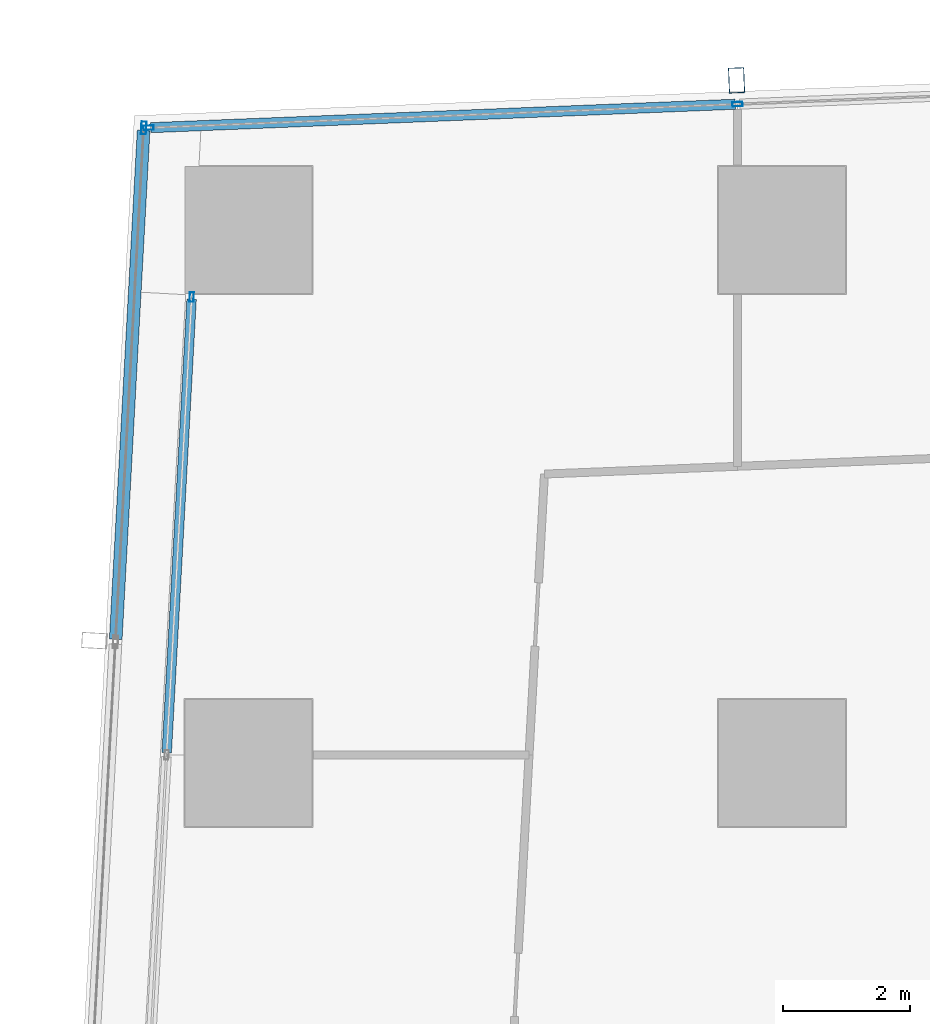
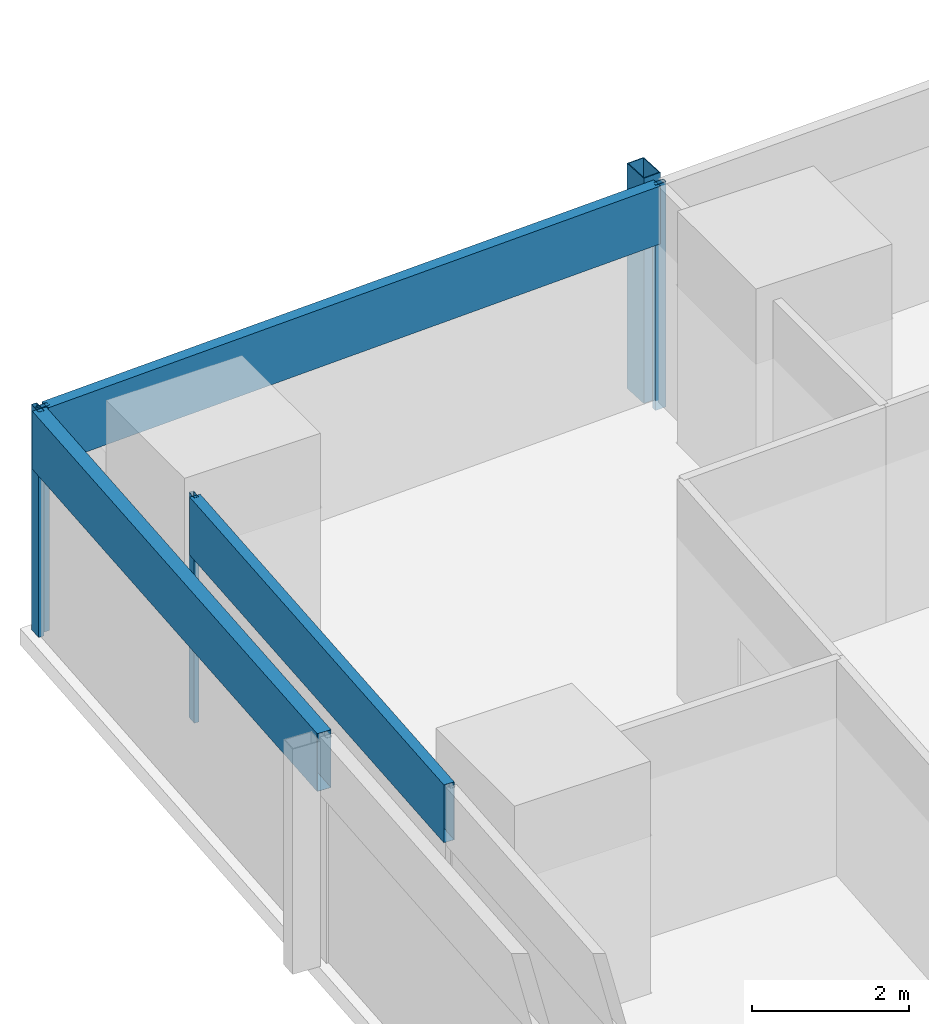
# One storey, part 13 of 36: 8 members, 3 elements without a shape of their own.
"""IFC4 building model written with IfcOpenShell, lengths in metres."""

from ifc_helpers import new_model, si_unit, direction, frame, origin, origin_2d, place, context, subcontext, project, spatial, hollow_rectangle, extrude, material, material_profile, profile_set, type_object, element, aggregate, save


model = new_model("IFC4")

# Units and contexts
model_context = context("Model", 3, precision=1e-05, world=origin(), true_north=direction((0.0, 1.0)))
body_context = subcontext(model_context, "Body", "Model", "MODEL_VIEW")
ifc_project = project(units=[si_unit("LENGTHUNIT", "METRE"), si_unit("AREAUNIT", "SQUARE_METRE"), si_unit("VOLUMEUNIT", "CUBIC_METRE"), si_unit("PLANEANGLEUNIT", "RADIAN"), si_unit("MASSUNIT", "GRAM", prefix="KILO")], contexts=[model_context])

# Site, building, storey
site_placement = place(None, origin())
site = spatial("IfcSite", under=ifc_project, at=site_placement, CompositionType="ELEMENT")
building_placement = place(site_placement, origin())
building = spatial("IfcBuilding", under=site, at=building_placement, Name="Rekha Terrace Tower", CompositionType="ELEMENT")
storey_placement = place(building_placement, frame((0.0, 0.0, 144.050048828125)))
storey = spatial("IfcBuildingStorey", under=building, at=storey_placement, Name="L36", CompositionType="ELEMENT", Elevation=144.050048828125)

# Curtain wall, member
ifc_material_1 = material(Name="Aluminium framing", Category="aluminium")
curtain_wall_type_1 = type_object("IfcCurtainWallType", Name="CW3 north unitised glazing", PredefinedType="USERDEFINED", material=ifc_material_1)
curtain_wall_1_placement = place(storey_placement, origin())
curtain_wall_1 = element("IfcCurtainWall", 1, at=curtain_wall_1_placement, inside=storey, type_object=curtain_wall_type_1, Name="CW3 unitised curtain wall", ObjectType="UNITISED CURTAIN WALL", PredefinedType="USERDEFINED")
ifc_material_2 = material(Name="Steel S355 with fluorocarbon finish", Category="steel")
ifc_material_profile_1 = material_profile(ifc_material_2, hollow_rectangle(XDim=0.25, YDim=0.39990234375, WallThickness=0.012451171875, at=origin_2d()), Name="RHS400x250x12.5")
ifc_profile_set_1 = profile_set([ifc_material_profile_1], Name="Steel S355 with fluorocarbon finish")
member_type_1 = type_object("IfcMemberType", Name="BL1 facade blade RHS 400 x 250", PredefinedType="USERDEFINED", material=ifc_profile_set_1)
member_1_placement = place(storey_placement, frame((16.0869140625, 61.1552734375, 0.0), z_axis=(0.0, 0.0, 1.0), x_axis=(-0.999198382632, -0.040032388711, 0.0)))
member_1 = element("IfcMember", 2, at=member_1_placement, type_object=member_type_1, Name="Facade blade", ObjectType="FACADE BLADE", PredefinedType="USERDEFINED", context=body_context, shape_type="SweptSolid", body=[
    extrude(hollow_rectangle(XDim=0.25, YDim=0.39990234375, WallThickness=0.012451171875, at=origin_2d()), origin(), (0.0, 0.0, 1.0), 3.5),
])

# Curtain wall, members
curtain_wall_type_2 = type_object("IfcCurtainWallType", Name="CW1 double skin inner glazing", PredefinedType="USERDEFINED", material=ifc_material_1)
curtain_wall_2_placement = place(storey_placement, origin())
curtain_wall_2 = element("IfcCurtainWall", 3, at=curtain_wall_2_placement, inside=storey, type_object=curtain_wall_type_2, Name="CW1 double skin inner glazing", ObjectType="DOUBLE SKIN INNER GLAZING", PredefinedType="USERDEFINED")
ifc_material_3 = material(Name="Aluminium mullion section", Category="aluminium")
ifc_material_profile_2 = material_profile(ifc_material_3, hollow_rectangle(XDim=0.06494140625, YDim=0.14990234375, WallThickness=0.00390625, at=origin_2d()), Name="AL RHS 65x150")
ifc_profile_set_2 = profile_set([ifc_material_profile_2], Name="Aluminium mullion section")
member_type_2 = type_object("IfcMemberType", Name="CW1 mullion RHS 65 x 150", PredefinedType="MULLION", material=ifc_profile_set_2)
member_2_placement = place(storey_placement, frame((7.5048828125, 57.742431640625, 0.0), z_axis=(0.0, 0.0, 1.0), x_axis=(0.998500513181, -0.05474235269, 0.0)))
member_2 = element("IfcMember", 4, at=member_2_placement, type_object=member_type_2, Name="CW1 mullion 1", PredefinedType="MULLION", context=body_context, shape_type="SweptSolid", body=[
    extrude(hollow_rectangle(XDim=0.06494140625, YDim=0.14990234375, WallThickness=0.00390625, at=origin_2d()), origin(), (0.0, 0.0, 1.0), 3.5),
])
ifc_material_4 = material(Name="Insulated aluminium spandrel box", Category="aluminium")
ifc_material_profile_3 = material_profile(ifc_material_4, hollow_rectangle(XDim=0.14990234375, YDim=0.89990234375, WallThickness=0.0029296875, at=origin_2d()), Name="AL SPANDREL BOX 150x900")
ifc_profile_set_3 = profile_set([ifc_material_profile_3], Name="Insulated aluminium spandrel box")
member_type_3 = type_object("IfcMemberType", Name="CW1 spandrel transom 150 x 900", PredefinedType="USERDEFINED", material=ifc_profile_set_3)
member_3_placement = place(storey_placement, frame((7.503173828125, 57.7099609375, 3.050048828125), z_axis=(-0.054746454504, -0.998500288292, 0.0), x_axis=(0.998500288292, -0.054746454504, 0.0)))
member_3 = element("IfcMember", 5, at=member_3_placement, type_object=member_type_3, Name="CW1 spandrel transom 1", ObjectType="TRANSOM", PredefinedType="USERDEFINED", context=body_context, shape_type="SweptSolid", body=[
    extrude(hollow_rectangle(XDim=0.14990234375, YDim=0.89990234375, WallThickness=0.0029296875, at=origin_2d()), origin(), (0.0, 0.0, 1.0), 7.157470703125),
])
aggregate(curtain_wall_2, [member_2, member_3])

curtain_wall_type_3 = type_object("IfcCurtainWallType", Name="CW2 double skin outer glazing", PredefinedType="USERDEFINED", material=ifc_material_1)
curtain_wall_3_placement = place(storey_placement, origin())
curtain_wall_3 = element("IfcCurtainWall", 6, at=curtain_wall_3_placement, inside=storey, type_object=curtain_wall_type_3, Name="CW2 double skin outer glazing", ObjectType="DOUBLE SKIN OUTER GLAZING", PredefinedType="USERDEFINED")
ifc_material_profile_4 = material_profile(ifc_material_3, hollow_rectangle(XDim=0.080078125, YDim=0.199951171875, WallThickness=0.00390625, at=origin_2d()), Name="AL RHS 80x200")
ifc_profile_set_4 = profile_set([ifc_material_profile_4], Name="Aluminium mullion section")
member_type_4 = type_object("IfcMemberType", Name="CW2 mullion RHS 80 x 200", PredefinedType="MULLION", material=ifc_profile_set_4)
member_4_placement = place(storey_placement, frame((6.74951171875, 60.406005859375, 0.0), z_axis=(0.0, 0.0, 1.0), x_axis=(0.99850051318, -0.054742352707, 0.0)))
member_4 = element("IfcMember", 7, at=member_4_placement, type_object=member_type_4, Name="CW2 mullion 1", PredefinedType="MULLION", context=body_context, shape_type="SweptSolid", body=[
    extrude(hollow_rectangle(XDim=0.080078125, YDim=0.199951171875, WallThickness=0.00390625, at=origin_2d()), origin(), (0.0, 0.0, 1.0), 3.5),
])
ifc_material_profile_5 = material_profile(ifc_material_4, hollow_rectangle(XDim=0.199951171875, YDim=0.89990234375, WallThickness=0.0029296875, at=origin_2d()), Name="AL SPANDREL BOX 200x900")
ifc_profile_set_5 = profile_set([ifc_material_profile_5], Name="Insulated aluminium spandrel box")
member_type_5 = type_object("IfcMemberType", Name="CW2 spandrel transom 200 x 900", PredefinedType="USERDEFINED", material=ifc_profile_set_5)
member_5_placement = place(storey_placement, frame((6.747314453125, 60.365966796875, 3.050048828125), z_axis=(-0.054720339778, -0.998501719785, 0.0), x_axis=(0.998501719785, -0.054720339778, 0.0)))
member_5 = element("IfcMember", 8, at=member_5_placement, type_object=member_type_5, Name="CW2 spandrel transom 1", ObjectType="TRANSOM", PredefinedType="USERDEFINED", context=body_context, shape_type="SweptSolid", body=[
    extrude(hollow_rectangle(XDim=0.199951171875, YDim=0.89990234375, WallThickness=0.0029296875, at=origin_2d()), origin(), (0.0, 0.0, 1.0), 8.0263671875),
])
aggregate(curtain_wall_3, [member_4, member_5])

# Member
ifc_material_profile_6 = material_profile(ifc_material_3, hollow_rectangle(XDim=0.070068359375, YDim=0.159912109375, WallThickness=0.00390625, at=origin_2d()), Name="AL RHS 70x160")
ifc_profile_set_6 = profile_set([ifc_material_profile_6], Name="Aluminium mullion section")
member_type_6 = type_object("IfcMemberType", Name="CW3 mullion RHS 70 x 160", PredefinedType="MULLION", material=ifc_profile_set_6)
member_6_placement = place(storey_placement, frame((16.101806640625, 60.780517578125, 0.0), z_axis=(0.0, 0.0, 1.0), x_axis=(0.040031987119, -0.999198398721, 0.0)))
member_6 = element("IfcMember", 9, at=member_6_placement, type_object=member_type_6, Name="CW3 mullion 4", PredefinedType="MULLION", context=body_context, shape_type="SweptSolid", body=[
    extrude(hollow_rectangle(XDim=0.070068359375, YDim=0.159912109375, WallThickness=0.00390625, at=origin_2d()), origin(), (0.0, 0.0, 1.0), 3.5),
])

member_7_placement = place(storey_placement, frame((6.82470703125, 60.408935546875, 0.0), z_axis=(0.0, 0.0, 1.0), x_axis=(0.040031987119, -0.999198398721, 0.0)))
member_7 = element("IfcMember", 10, at=member_7_placement, type_object=member_type_6, Name="CW3 mullion 5", PredefinedType="MULLION", context=body_context, shape_type="SweptSolid", body=[
    extrude(hollow_rectangle(XDim=0.070068359375, YDim=0.159912109375, WallThickness=0.00390625, at=origin_2d()), origin(), (0.0, 0.0, 1.0), 3.5),
])

ifc_material_profile_7 = material_profile(ifc_material_4, hollow_rectangle(XDim=0.159912109375, YDim=0.89990234375, WallThickness=0.0029296875, at=origin_2d()), Name="AL SPANDREL BOX 160x900")
ifc_profile_set_7 = profile_set([ifc_material_profile_7], Name="Insulated aluminium spandrel box")
member_type_7 = type_object("IfcMemberType", Name="CW3 spandrel transom 160 x 900", PredefinedType="USERDEFINED", material=ifc_profile_set_7)
member_8_placement = place(storey_placement, frame((16.06689453125, 60.779052734375, 3.050048828125), z_axis=(-0.999198332483, -0.040033640399, 0.0), x_axis=(0.040033640399, -0.999198332483, 0.0)))
member_8 = element("IfcMember", 11, at=member_8_placement, type_object=member_type_7, Name="CW3 spandrel transom 4", ObjectType="TRANSOM", PredefinedType="USERDEFINED", context=body_context, shape_type="SweptSolid", body=[
    extrude(hollow_rectangle(XDim=0.159912109375, YDim=0.89990234375, WallThickness=0.0029296875, at=origin_2d()), origin(), (0.0, 0.0, 1.0), 9.214599609375),
])

aggregate(curtain_wall_1, [member_6, member_7, member_8, member_1])

save(model, "model.ifc")
